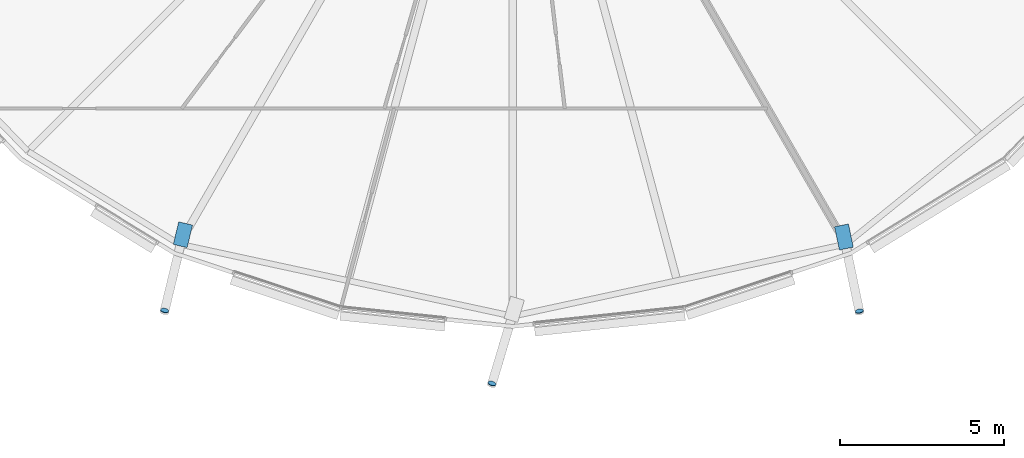
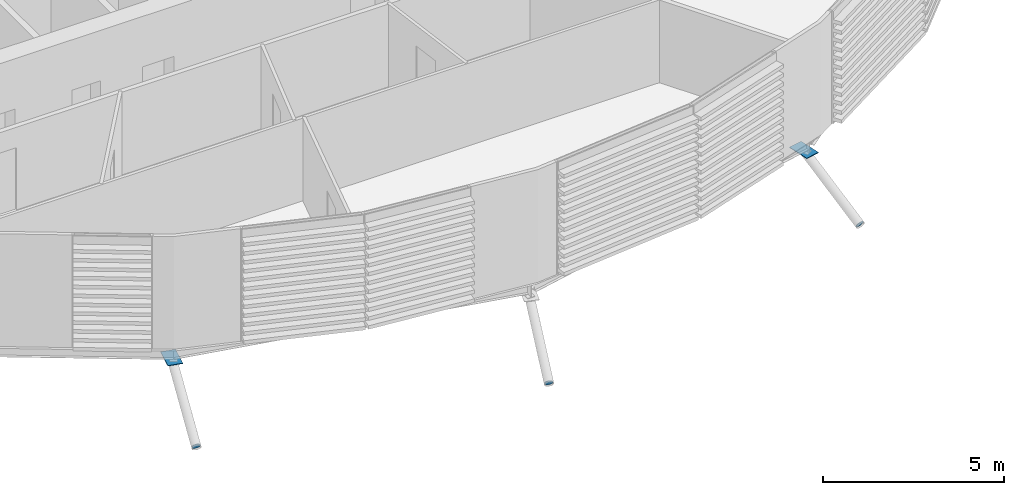
# One storey, part 26 of 37: 5 discrete accessories.
"""IFC4 building model written with IfcOpenShell, lengths in metres."""

from ifc_helpers import new_model, si_unit, direction, frame, origin, origin_2d, place, context, subcontext, project, spatial, polyline, rectangle, circle, outline, extrude, material, material_profile, profile_set, type_object, element, save


model = new_model("IFC4")

# Units and contexts
model_context = context("Model", 3, precision=1e-05, world=origin(), true_north=direction((0.0, 1.0)))
body_context = subcontext(model_context, "Body", "Model", "MODEL_VIEW")
ifc_project = project(units=[si_unit("LENGTHUNIT", "METRE"), si_unit("AREAUNIT", "SQUARE_METRE"), si_unit("VOLUMEUNIT", "CUBIC_METRE"), si_unit("PLANEANGLEUNIT", "RADIAN"), si_unit("MASSUNIT", "GRAM", prefix="KILO")], contexts=[model_context])

# Site, building, storey
site_placement = place(None, origin())
site = spatial("IfcSite", under=ifc_project, at=site_placement, CompositionType="ELEMENT")
building_placement = place(site_placement, origin())
building = spatial("IfcBuilding", under=site, at=building_placement, Name="Rimbun Link Towers", CompositionType="ELEMENT")
storey_placement = place(building_placement, frame((0.0, 0.0, 162.699951171875)))
storey = spatial("IfcBuildingStorey", under=building, at=storey_placement, Name="L39", CompositionType="ELEMENT", Elevation=162.699951171875)

# Discrete accessories
ifc_material_1 = material(Name="Steel S355J2H", Category="steel")
ifc_material_profile_1 = material_profile(ifc_material_1, circle(Radius=0.1240234375, at=origin_2d()), Name="PL D248")
ifc_profile_set_1 = profile_set([ifc_material_profile_1], Name="Steel S355J2H")
discrete_accessory_type_1 = type_object("IfcDiscreteAccessoryType", Name="Link foot sealing plate D248X20", PredefinedType="BRACKET", material=ifc_profile_set_1)
discrete_accessory_1_placement = place(storey_placement, frame((-42.34765625, -19.602783203125, -2.138916015625), z_axis=(-0.195500292296, -0.843095010527, -0.500969499009), x_axis=(0.974152703704, -0.225890482018, 0.0)))
element("IfcDiscreteAccessory", 1, at=discrete_accessory_1_placement, inside=storey, type_object=discrete_accessory_type_1, Name="Link foot sealing plate T1 L39 16", PredefinedType="BRACKET", context=body_context, shape_type="SweptSolid", body=[
    extrude(circle(Radius=0.1240234375, at=origin_2d()), origin(), (0.0, 0.0, 1.0), 0.02001953125),
])
discrete_accessory_2_placement = place(storey_placement, frame((-32.375244140625, -21.823974609375, -2.142333984375), z_axis=(-0.258276989837, -0.824026586622, -0.504255075395), x_axis=(0.954226213926, -0.299085828245, 0.0)))
element("IfcDiscreteAccessory", 2, at=discrete_accessory_2_placement, inside=storey, type_object=discrete_accessory_type_1, Name="Link foot sealing plate T1 L39 18", PredefinedType="BRACKET", context=body_context, shape_type="SweptSolid", body=[
    extrude(circle(Radius=0.1240234375, at=origin_2d()), origin(), (0.0, 0.0, 1.0), 0.019775390625),
])
discrete_accessory_3_placement = place(storey_placement, frame((-21.18994140625, -19.61962890625, -2.0498046875), z_axis=(0.18102533486, -0.856853251673, -0.482734226295), x_axis=(0.978403328153, 0.206704928483, 0.0)))
element("IfcDiscreteAccessory", 3, at=discrete_accessory_3_placement, inside=storey, type_object=discrete_accessory_type_1, Name="Link foot sealing plate T1 L39 20", PredefinedType="BRACKET", context=body_context, shape_type="SweptSolid", body=[
    extrude(circle(Radius=0.1240234375, at=origin_2d()), origin(), (0.0, 0.0, 1.0), 0.020263671875),
])
ifc_material_2 = material(Name="Steel S355J2H", Category="steel")
ifc_material_profile_2 = material_profile(ifc_material_2, rectangle(XDim=0.43310546875, YDim=0.43310546875, at=origin_2d()), Name="PL 433x433")
ifc_profile_set_2 = profile_set([ifc_material_profile_2], Name="Steel S355J2H")
discrete_accessory_type_2 = type_object("IfcDiscreteAccessoryType", Name="Link head end plate 433X20", PredefinedType="BRACKET", material=ifc_profile_set_2)
discrete_accessory_4_placement = place(storey_placement, frame((0.0, 0.0, -0.7724609375)))
element("IfcDiscreteAccessory", 4, at=discrete_accessory_4_placement, inside=storey, type_object=discrete_accessory_type_2, Name="Link head end plate T1 L39 16", PredefinedType="BRACKET", context=body_context, shape_type="SweptSolid", body=[
    extrude(outline(polyline([(-41.92041015625, -16.904052734375), (-42.0859375, -17.591064453125), (-41.664794921875, -17.6923828125), (-41.49951171875, -17.00537109375), (-41.92041015625, -16.904052734375)])), origin(), (0.0, 0.0, 1.0), 0.02001953125),
])
discrete_accessory_5_placement = place(storey_placement, frame((0.0, 0.0, -0.7724609375)))
element("IfcDiscreteAccessory", 5, at=discrete_accessory_5_placement, inside=storey, type_object=discrete_accessory_type_2, Name="Link head end plate T1 L39 20", PredefinedType="BRACKET", context=body_context, shape_type="SweptSolid", body=[
    extrude(outline(polyline([(-21.9443359375, -17.05712890625), (-21.797119140625, -17.7646484375), (-21.373291015625, -17.676513671875), (-21.5205078125, -16.968994140625), (-21.9443359375, -17.05712890625)])), origin(), (0.0, 0.0, 1.0), 0.02001953125),
])

save(model, "model.ifc")
